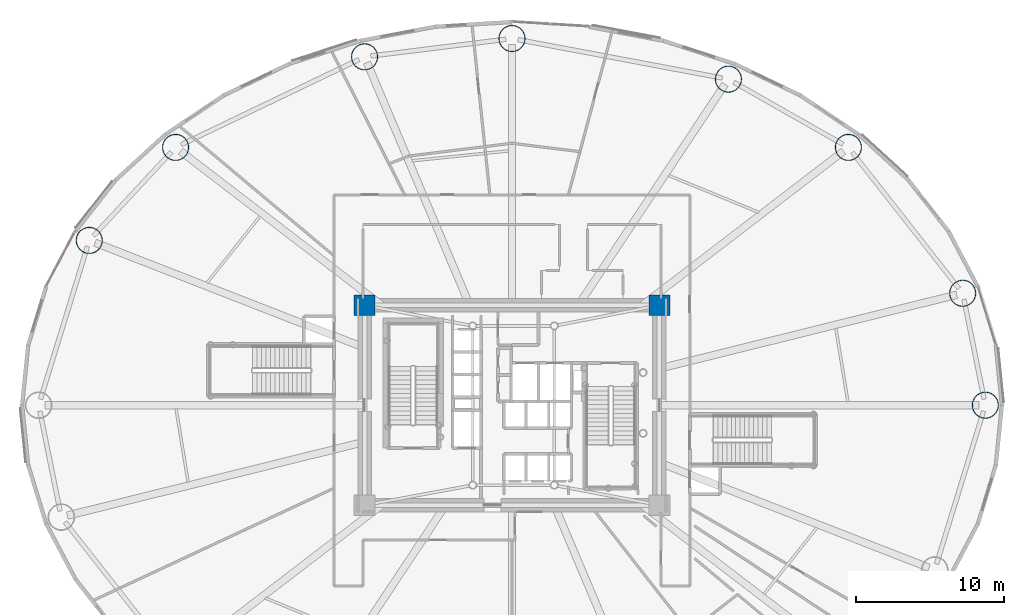
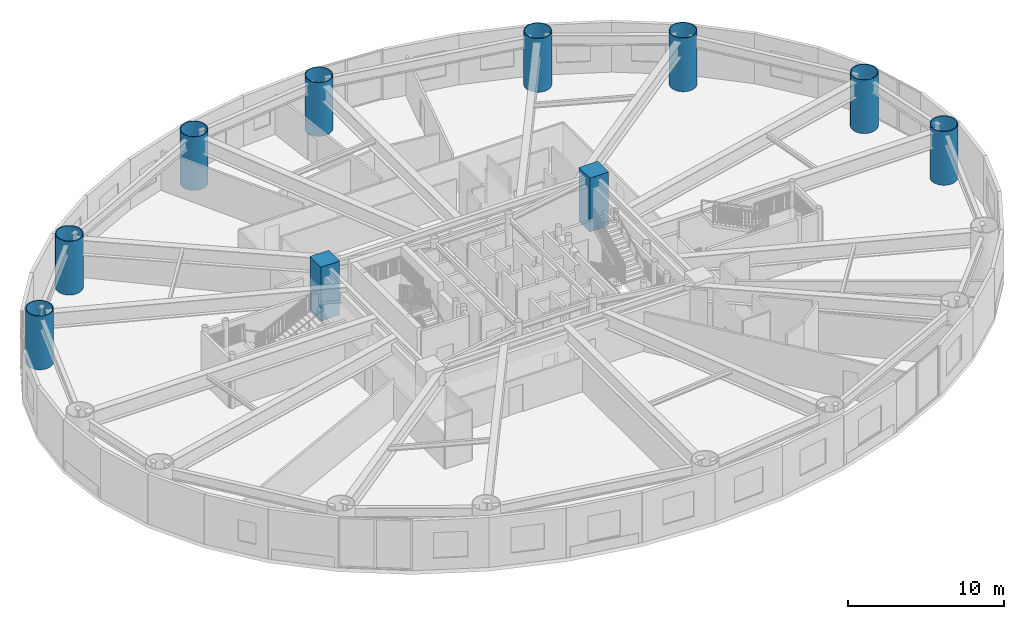
# One storey, part 3 of 27: 10 columns.
"""IFC4 building model written with IfcOpenShell, lengths in metres."""

from ifc_helpers import new_model, si_unit, direction, frame, origin, origin_2d, place, context, subcontext, project, spatial, rectangle, hollow_circle, extrude, material, material_profile, profile_set, type_object, element, save


model = new_model("IFC4")

# Units and contexts
model_context = context("Model", 3, precision=1e-05, world=origin(), true_north=direction((0.0, 1.0)))
body_context = subcontext(model_context, "Body", "Model", "MODEL_VIEW")
ifc_project = project(units=[si_unit("LENGTHUNIT", "METRE"), si_unit("AREAUNIT", "SQUARE_METRE"), si_unit("VOLUMEUNIT", "CUBIC_METRE"), si_unit("PLANEANGLEUNIT", "RADIAN"), si_unit("MASSUNIT", "GRAM", prefix="KILO")], contexts=[model_context])

# Site, building, storey
site_placement = place(None, origin())
site = spatial("IfcSite", under=ifc_project, at=site_placement, CompositionType="ELEMENT")
building_placement = place(site_placement, origin())
building = spatial("IfcBuilding", under=site, at=building_placement, Name="Linh Dai School and Residence Tower", CompositionType="ELEMENT")
storey_placement = place(building_placement, frame((0.0, 0.0, 22.800048828125)))
storey = spatial("IfcBuildingStorey", under=building, at=storey_placement, Name="L05", CompositionType="ELEMENT", Elevation=22.800048828125)

# Columns
ifc_material_1 = material(Name="Concrete B60 (C50/60)", Category="concrete")
ifc_material_profile_1 = material_profile(ifc_material_1, rectangle(XDim=1.39990234375, YDim=1.39990234375, at=origin_2d()), Name="RC 1400x1400")
ifc_profile_set_1 = profile_set([ifc_material_profile_1], Name="Concrete B60 (C50/60)")
column_type_1 = type_object("IfcColumnType", Name="COL-CC1", PredefinedType="COLUMN", material=ifc_profile_set_1)
for number, where, z_axis, x_axis, name in (
    (1, (45.949951171875, 33.75, 0.0), (0.0, 0.0, 1.0), (1.0, 0.0, 0.0), "L05 Core Corner Pier CC3"),
    (2, (26.050048828125, 33.75, 0.0), (0.0, 0.0, 1.0), (1.0, 0.0, 0.0), "L05 Core Corner Pier CC4"),
):
    element("IfcColumn", number, at=place(storey_placement, frame(where, z_axis=z_axis, x_axis=x_axis)), inside=storey, type_object=column_type_1, Name=name, PredefinedType="COLUMN", context=body_context, shape_type="SweptSolid", body=[
        extrude(rectangle(XDim=1.39990234375, YDim=1.39990234375, at=origin_2d()), origin(), (0.0, 0.0, 1.0), 4.199951171875),
    ])
ifc_material_2 = material(Name="Structural Steel S355JR", Category="steel")
ifc_material_profile_2 = material_profile(ifc_material_2, hollow_circle(Radius=0.89990234375, WallThickness=0.050048828125, at=origin_2d()), Name="CHS 1800x50")
ifc_profile_set_2 = profile_set([ifc_material_profile_2], Name="Structural Steel S355JR")
column_type_2 = type_object("IfcColumnType", Name="COL-MC1", PredefinedType="COLUMN", material=ifc_profile_set_2)
for number, where, z_axis, x_axis, name in (
    (3, (67.949951171875, 27.0, 0.0), (0.0, 0.0, 1.0), (1.0, 0.0, 0.0), "L05 Perimeter CFT Mega-Column MC01"),
    (4, (66.42041015625, 34.555419921875, 0.0), (0.0, 0.0, 1.0), (1.0, 0.0, 0.0), "L05 Perimeter CFT Mega-Column MC02"),
    (5, (58.705322265625, 44.400634765625, 0.0), (0.0, 0.0, 1.0), (1.0, 0.0, 0.0), "L05 Perimeter CFT Mega-Column MC03"),
    (6, (50.609130859375, 49.005126953125, 0.0), (0.0, 0.0, 1.0), (1.0, 0.0, 0.0), "L05 Perimeter CFT Mega-Column MC04"),
    (7, (36.0, 51.75, 0.0), (0.0, 0.0, 1.0), (1.0, 0.0, 0.0), "L05 Perimeter CFT Mega-Column MC05"),
    (8, (26.048828125, 50.51611328125, 0.0), (0.0, 0.0, 1.0), (1.0, 0.0, 0.0), "L05 Perimeter CFT Mega-Column MC06"),
    (9, (13.294677734375, 44.400634765625, 0.0), (0.0, 0.0, 1.0), (1.0, 0.0, 0.0), "L05 Perimeter CFT Mega-Column MC07"),
    (10, (7.46630859375, 38.1220703125, 0.0), (0.0, 0.0, 1.0), (1.0, 0.0, 0.0), "L05 Perimeter CFT Mega-Column MC08"),
):
    element("IfcColumn", number, at=place(storey_placement, frame(where, z_axis=z_axis, x_axis=x_axis)), inside=storey, type_object=column_type_2, Name=name, PredefinedType="COLUMN", context=body_context, shape_type="SweptSolid", body=[
        extrude(hollow_circle(Radius=0.89990234375, WallThickness=0.050048828125, at=origin_2d()), origin(), (0.0, 0.0, 1.0), 4.199951171875),
    ])

save(model, "model.ifc")
